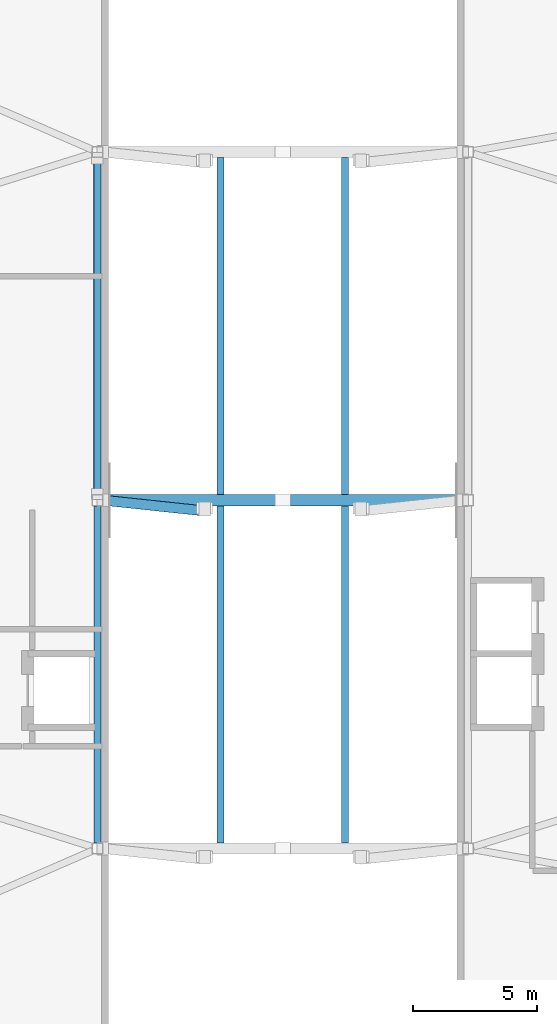
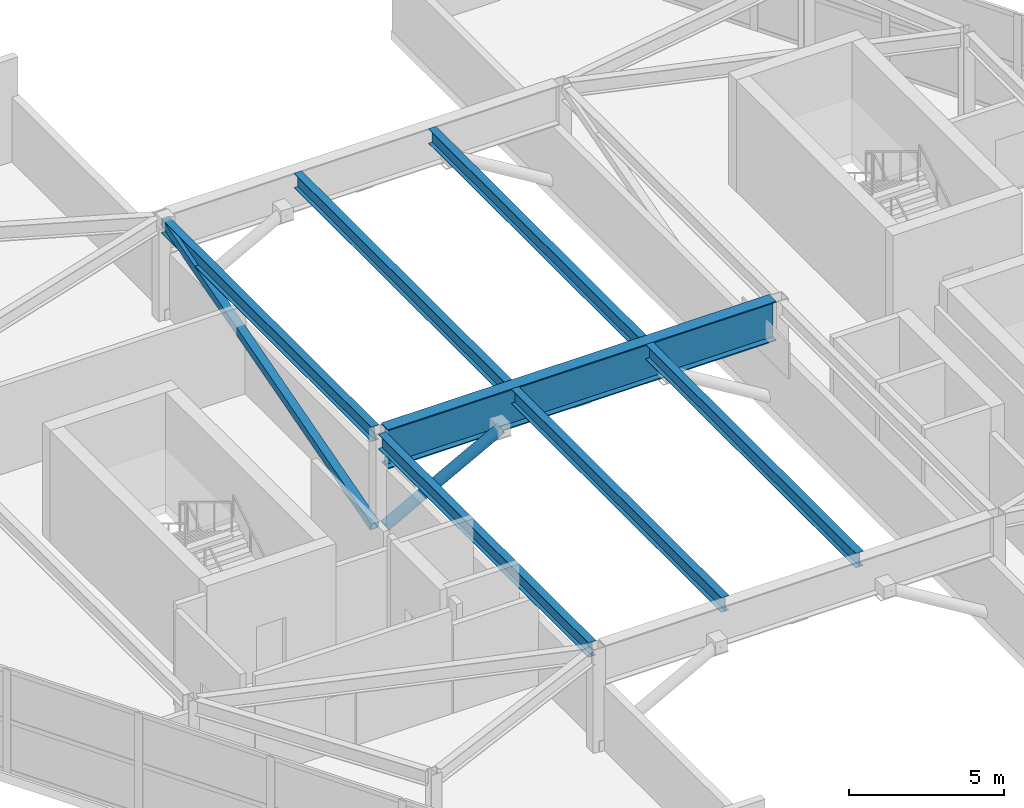
# One storey, part 6 of 16: 7 beams, 2 members.
"""IFC4 building model written with IfcOpenShell, lengths in metres."""

from ifc_helpers import new_model, si_unit, direction, frame, origin, origin_2d, place, context, subcontext, project, spatial, hollow_rectangle, hollow_circle, i_section, extrude, material, material_profile, profile_set, type_object, element, save


model = new_model("IFC4")

# Units and contexts
model_context = context("Model", 3, precision=1e-05, world=origin(), true_north=direction((0.0, 1.0)))
body_context = subcontext(model_context, "Body", "Model", "MODEL_VIEW")
ifc_project = project(units=[si_unit("LENGTHUNIT", "METRE"), si_unit("AREAUNIT", "SQUARE_METRE"), si_unit("VOLUMEUNIT", "CUBIC_METRE"), si_unit("PLANEANGLEUNIT", "RADIAN"), si_unit("MASSUNIT", "GRAM", prefix="KILO")], contexts=[model_context])

# Site, building, storey
site_placement = place(None, origin())
site = spatial("IfcSite", under=ifc_project, at=site_placement, CompositionType="ELEMENT")
building_placement = place(site_placement, origin())
building = spatial("IfcBuilding", under=site, at=building_placement, Name="Zuhravey Tower", CompositionType="ELEMENT")
storey_placement = place(building_placement, frame((0.0, 0.0, 374.60009765625)))
storey = spatial("IfcBuildingStorey", under=building, at=storey_placement, Name="L95", CompositionType="ELEMENT", Elevation=374.60009765625)

# Member
ifc_material_1 = material(Name="Steel SM355", Category="steel")
ifc_material_profile_1 = material_profile(ifc_material_1, hollow_rectangle(XDim=0.300048828125, YDim=0.300048828125, WallThickness=0.01611328125, at=origin_2d()), Name="RHS-300x300x16")
ifc_profile_set_1 = profile_set([ifc_material_profile_1], Name="Steel SM355")
member_type_1 = type_object("IfcMemberType", Name="Crown Frame Strut RHS300x300", PredefinedType="STRUT", material=ifc_profile_set_1)
member_1_placement = place(storey_placement, frame((28.550048828125, 32.249267578125, 0.10546875), z_axis=(0.0, 0.961874959952, 0.2734896002), x_axis=(-1.0, 0.0, 0.0)))
element("IfcMember", 1, at=member_1_placement, inside=storey, type_object=member_type_1, Name="L95 West Crest Portal Frame Strut CFS1", PredefinedType="STRUT", context=body_context, shape_type="SweptSolid", body=[
    extrude(hollow_rectangle(XDim=0.300048828125, YDim=0.300048828125, WallThickness=0.01611328125, at=origin_2d()), origin(), (0.0, 0.0, 1.0), 14.03662109375),
])

# Beams
ifc_material_2 = material(Name="Steel SM460", Category="steel")
ifc_material_profile_2 = material_profile(ifc_material_2, i_section(OverallWidth=0.449951171875, OverallDepth=1.550048828125, WebThickness=0.02587890625, FlangeThickness=0.0419921875, at=origin_2d()), Name="H-1550x450x26x42")
ifc_profile_set_2 = profile_set([ifc_material_profile_2], Name="Steel SM460")
beam_type_1 = type_object("IfcBeamType", Name="Heavy Setback Transfer Girder H1550x450", PredefinedType="BEAM", material=ifc_profile_set_2)
beam_placement = place(storey_placement, frame((28.780029296875, 32.0, 3.31494140625), z_axis=(1.0, 0.0, 0.0), x_axis=(0.0, 1.0, 0.0)))
element("IfcBeam", 2, at=beam_placement, inside=storey, type_object=beam_type_1, Name="L95 Wind-Portal Cap Girder TG3-2", PredefinedType="BEAM", context=body_context, shape_type="SweptSolid", body=[
    extrude(i_section(OverallWidth=0.449951171875, OverallDepth=1.550048828125, WebThickness=0.02587890625, FlangeThickness=0.0419921875, at=origin_2d()), origin(), (0.0, 0.0, 1.0), 14.43994140625),
])
ifc_material_profile_3 = material_profile(ifc_material_1, i_section(OverallWidth=0.280029296875, OverallDepth=0.580078125, WebThickness=0.011962890625, FlangeThickness=0.01904296875, at=origin_2d()), Name="H-580x280x12x19")
ifc_profile_set_3 = profile_set([ifc_material_profile_3], Name="Steel SM355")
beam_type_2 = type_object("IfcBeamType", Name="Perimeter Ring Beam H580x280", PredefinedType="BEAM", material=ifc_profile_set_3)
for number, where, z_axis, x_axis, name in (
    (3, (33.5, 18.2255859375, 3.7998046875), (0.0, 1.0, 0.0), (-1.0, 0.0, 0.0), "L95 Wind-Portal Cap Secondary Beam PB4-1.1"),
    (4, (33.5, 32.2255859375, 3.7998046875), (0.0, 1.0, 0.0), (-1.0, 0.0, 0.0), "L95 Wind-Portal Cap Secondary Beam PB4-1.2"),
    (5, (38.5, 18.2255859375, 3.7998046875), (0.0, 1.0, 0.0), (-1.0, 0.0, 0.0), "L95 Wind-Portal Cap Secondary Beam PB4-2.1"),
    (6, (38.5, 32.2255859375, 3.7998046875), (0.0, 1.0, 0.0), (-1.0, 0.0, 0.0), "L95 Wind-Portal Cap Secondary Beam PB4-2.2"),
):
    element("IfcBeam", number, at=place(storey_placement, frame(where, z_axis=z_axis, x_axis=x_axis)), inside=storey, type_object=beam_type_2, Name=name, PredefinedType="BEAM", context=body_context, shape_type="SweptSolid", body=[
        extrude(i_section(OverallWidth=0.280029296875, OverallDepth=0.580078125, WebThickness=0.011962890625, FlangeThickness=0.01904296875, at=origin_2d()), origin(), (0.0, 0.0, 1.0), 13.548828125),
    ])
for number, where, z_axis, x_axis, name in (
    (7, (28.550048828125, 18.22900390625, 3.760009765625), (0.0, 1.0, 0.0), (-1.0, 0.0, 0.0), "L95 PB4 BM-L95-WCR-4-5"),
    (8, (28.550048828125, 32.22900390625, 3.760009765625), (0.0, 1.0, 0.0), (-1.0, 0.0, 0.0), "L95 PB4 BM-L95-WCR-5-6"),
):
    element("IfcBeam", number, at=place(storey_placement, frame(where, z_axis=z_axis, x_axis=x_axis)), inside=storey, type_object=beam_type_2, Name=name, PredefinedType="BEAM", context=body_context, shape_type="SweptSolid", body=[
        extrude(i_section(OverallWidth=0.280029296875, OverallDepth=0.580078125, WebThickness=0.011962890625, FlangeThickness=0.01904296875, at=origin_2d()), origin(), (0.0, 0.0, 1.0), 13.5419921875),
    ])

# Member
ifc_material_profile_4 = material_profile(ifc_material_1, hollow_circle(Radius=0.203125, WallThickness=0.02001953125, at=origin_2d()), Name="CHS-406.4x20")
ifc_profile_set_4 = profile_set([ifc_material_profile_4], Name="Steel SM355")
member_type_2 = type_object("IfcMemberType", Name="Wind-Portal Arch Brace CHS406x20", PredefinedType="BRACE", material=ifc_profile_set_4)
member_2_placement = place(storey_placement, frame((28.78076171875, 31.999755859375, 0.180908203125), z_axis=(0.831960983214, -0.088484176355, 0.547733030723), x_axis=(0.105759685753, 0.994391718021, 0.0)))
element("IfcMember", 9, at=member_2_placement, inside=storey, type_object=member_type_2, Name="L95 Wind-Portal Arch Brace WPB1-2W", PredefinedType="BRACE", context=body_context, shape_type="SweptSolid", body=[
    extrude(hollow_circle(Radius=0.203125, WallThickness=0.02001953125, at=origin_2d()), origin(), (0.0, 0.0, 1.0), 4.88916015625),
])

save(model, "model.ifc")
